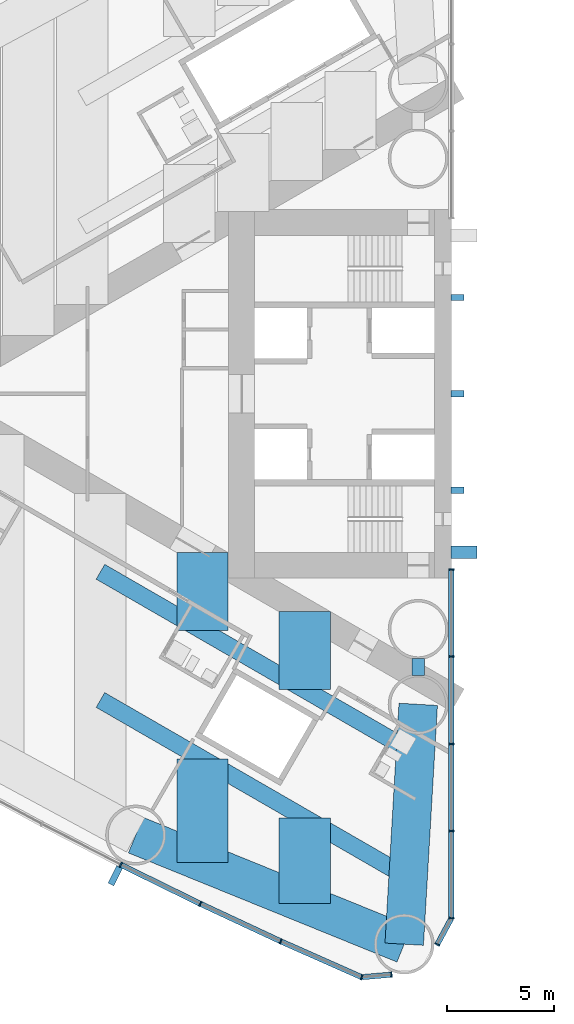
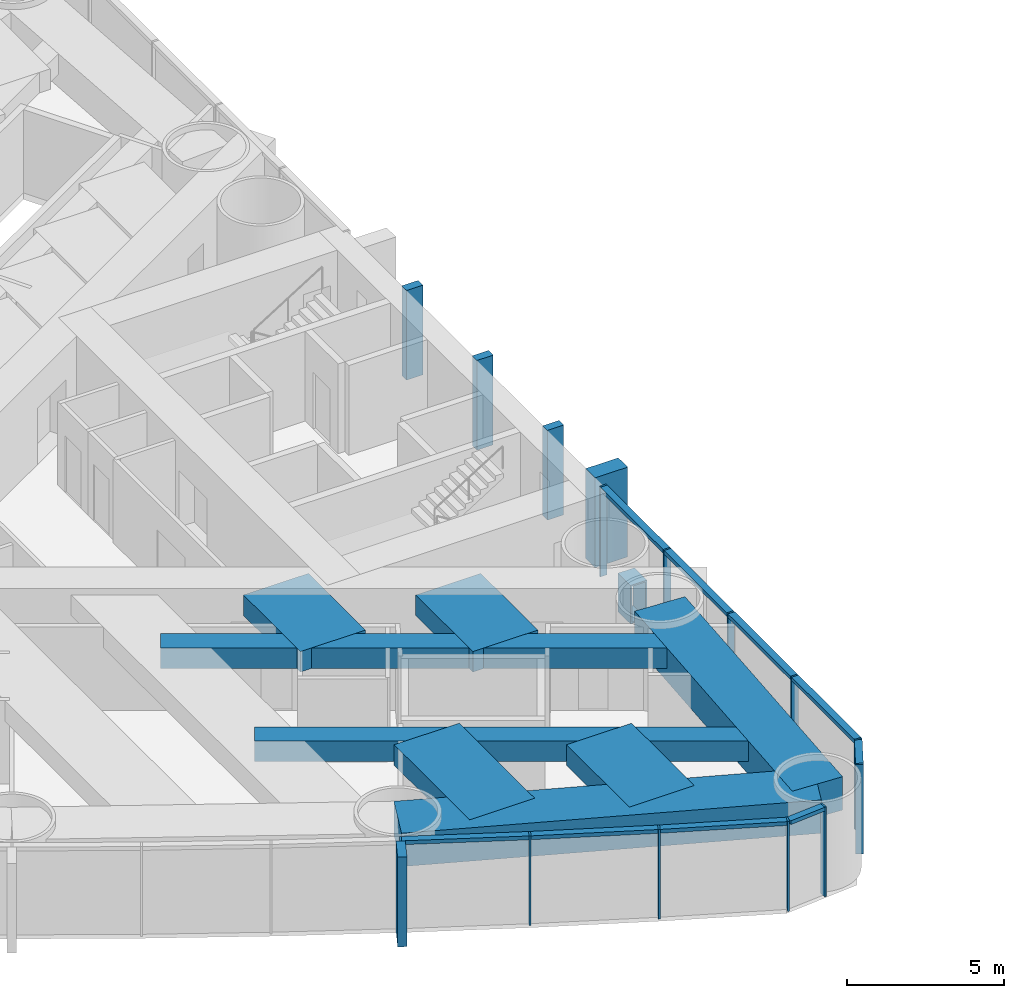
# One storey, part 3 of 19: 25 members, 9 beams, 2 elements without a shape of their own.
"""IFC4 building model written with IfcOpenShell, lengths in metres."""

from ifc_helpers import new_model, si_unit, direction, frame, origin, origin_2d, place, context, subcontext, project, spatial, rectangle, hollow_rectangle, extrude, material, material_profile, profile_set, type_object, element, aggregate, save


model = new_model("IFC4")

# Units and contexts
model_context = context("Model", 3, precision=1e-05, world=origin(), true_north=direction((0.0, 1.0)))
body_context = subcontext(model_context, "Body", "Model", "MODEL_VIEW")
ifc_project = project(units=[si_unit("LENGTHUNIT", "METRE"), si_unit("AREAUNIT", "SQUARE_METRE"), si_unit("VOLUMEUNIT", "CUBIC_METRE"), si_unit("PLANEANGLEUNIT", "RADIAN"), si_unit("MASSUNIT", "GRAM", prefix="KILO")], contexts=[model_context])

# Site, building, storey
site_placement = place(None, origin())
site = spatial("IfcSite", under=ifc_project, at=site_placement, CompositionType="ELEMENT")
building_placement = place(site_placement, origin())
building = spatial("IfcBuilding", under=site, at=building_placement, Name="Lancet Gate Hotel", CompositionType="ELEMENT")
storey_placement = place(building_placement, frame((0.0, 0.0, 70.5)))
storey = spatial("IfcBuildingStorey", under=building, at=storey_placement, Name="L18", CompositionType="ELEMENT", Elevation=70.5)

# Curtain wall, members
ifc_material_1 = material(Name="Aluminium curtain wall", Category="aluminium")
curtain_wall_type = type_object("IfcCurtainWallType", Name="Tower unitised curtain wall", PredefinedType="USERDEFINED", material=ifc_material_1)
curtain_wall_1_placement = place(storey_placement, origin())
curtain_wall_1 = element("IfcCurtainWall", 1, at=curtain_wall_1_placement, inside=storey, type_object=curtain_wall_type, Name="T1 L18 curtain wall 3", ObjectType="UNITISED CURTAIN WALL", PredefinedType="USERDEFINED")
ifc_material_2 = material(Name="Aluminium mullion", Category="aluminium")
ifc_material_profile_1 = material_profile(ifc_material_2, rectangle(XDim=0.06494140625, YDim=0.25, at=origin_2d()), Name="MULLION 65x250")
ifc_profile_set_1 = profile_set([ifc_material_profile_1], Name="Aluminium mullion")
member_type_1 = type_object("IfcMemberType", Name="Aluminium mullion 65x250", PredefinedType="MULLION", material=ifc_profile_set_1)
member_1_placement = place(storey_placement, frame((-42.94189453125, -21.991943359375, 0.0), z_axis=(0.0, 0.0, 1.0), x_axis=(0.893291549794, -0.449477704748, 0.0)))
member_1 = element("IfcMember", 2, at=member_1_placement, type_object=member_type_1, Name="T1 L18 curtain wall 3 mullion 11", PredefinedType="MULLION", context=body_context, shape_type="SweptSolid", body=[
    extrude(rectangle(XDim=0.06494140625, YDim=0.25, at=origin_2d()), origin(), (0.0, 0.0, 1.0), 3.5),
])
member_2_placement = place(storey_placement, frame((-39.225341796875, -23.816650390625, 0.0), z_axis=(0.0, 0.0, 1.0), x_axis=(0.901928838337, -0.431884672772, 0.0)))
member_2 = element("IfcMember", 3, at=member_2_placement, type_object=member_type_1, Name="T1 L18 curtain wall 3 mullion 12", PredefinedType="MULLION", context=body_context, shape_type="SweptSolid", body=[
    extrude(rectangle(XDim=0.06494140625, YDim=0.25, at=origin_2d()), origin(), (0.0, 0.0, 1.0), 3.5),
])
member_3_placement = place(storey_placement, frame((-35.473876953125, -25.568115234375, 0.0), z_axis=(0.0, 0.0, 1.0), x_axis=(0.910219680212, -0.414125746308, 0.0)))
member_3 = element("IfcMember", 4, at=member_3_placement, type_object=member_type_1, Name="T1 L18 curtain wall 3 mullion 13", PredefinedType="MULLION", context=body_context, shape_type="SweptSolid", body=[
    extrude(rectangle(XDim=0.06494140625, YDim=0.25, at=origin_2d()), origin(), (0.0, 0.0, 1.0), 3.5),
])
member_4_placement = place(storey_placement, frame((-31.688720703125, -27.24560546875, 0.0), z_axis=(0.0, 0.0, 1.0), x_axis=(0.957524354695, -0.288352406209, 0.0)))
member_4 = element("IfcMember", 5, at=member_4_placement, type_object=member_type_1, Name="T1 L18 curtain wall 3 mullion 14", PredefinedType="MULLION", context=body_context, shape_type="SweptSolid", body=[
    extrude(rectangle(XDim=0.06494140625, YDim=0.25, at=origin_2d()), origin(), (0.0, 0.0, 1.0), 3.5),
])
member_5_placement = place(storey_placement, frame((-30.3046875, -27.124755859375, 0.0), z_axis=(0.0, 0.0, 1.0), x_axis=(0.99620380374, 0.087051602022, 0.0)))
member_5 = element("IfcMember", 6, at=member_5_placement, type_object=member_type_1, Name="T1 L18 curtain wall 3 mullion 15", PredefinedType="MULLION", context=body_context, shape_type="SweptSolid", body=[
    extrude(rectangle(XDim=0.06494140625, YDim=0.25, at=origin_2d()), origin(), (0.0, 0.0, 1.0), 3.5),
])

curtain_wall_2_placement = place(storey_placement, origin())
curtain_wall_2 = element("IfcCurtainWall", 7, at=curtain_wall_2_placement, inside=storey, type_object=curtain_wall_type, Name="T1 L18 curtain wall 4", ObjectType="UNITISED CURTAIN WALL", PredefinedType="USERDEFINED")
member_6_placement = place(storey_placement, frame((-28.158935546875, -25.712890625, 0.0), z_axis=(0.0, 0.0, 1.0), x_axis=(0.474631040972, 0.880184852714, 0.0)))
member_6 = element("IfcMember", 8, at=member_6_placement, type_object=member_type_1, Name="T1 L18 curtain wall 4 mullion 1", PredefinedType="MULLION", context=body_context, shape_type="SweptSolid", body=[
    extrude(rectangle(XDim=0.06494140625, YDim=0.25, at=origin_2d()), origin(), (0.0, 0.0, 1.0), 3.5),
])
member_7_placement = place(storey_placement, frame((-27.5, -24.4912109375, 0.0), z_axis=(0.0, 0.0, 1.0), x_axis=(0.123482502544, 0.992346749662, 0.0)))
member_7 = element("IfcMember", 9, at=member_7_placement, type_object=member_type_1, Name="T1 L18 curtain wall 4 mullion 2", PredefinedType="MULLION", context=body_context, shape_type="SweptSolid", body=[
    extrude(rectangle(XDim=0.06494140625, YDim=0.25, at=origin_2d()), origin(), (0.0, 0.0, 1.0), 3.5),
])
member_8_placement = place(storey_placement, frame((-27.5, -20.41845703125, 0.0), z_axis=(0.0, 0.0, 1.0), x_axis=(0.0, 1.0, 0.0)))
member_8 = element("IfcMember", 10, at=member_8_placement, type_object=member_type_1, Name="T1 L18 curtain wall 4 mullion 3", PredefinedType="MULLION", context=body_context, shape_type="SweptSolid", body=[
    extrude(rectangle(XDim=0.06494140625, YDim=0.25, at=origin_2d()), origin(), (0.0, 0.0, 1.0), 3.5),
])
member_9_placement = place(storey_placement, frame((-27.5, -16.345703125, 0.0), z_axis=(0.0, 0.0, 1.0), x_axis=(0.0, 1.0, 0.0)))
member_9 = element("IfcMember", 11, at=member_9_placement, type_object=member_type_1, Name="T1 L18 curtain wall 4 mullion 4", PredefinedType="MULLION", context=body_context, shape_type="SweptSolid", body=[
    extrude(rectangle(XDim=0.06494140625, YDim=0.25, at=origin_2d()), origin(), (0.0, 0.0, 1.0), 3.5),
])
member_10_placement = place(storey_placement, frame((-27.5, -12.272705078125, 0.0), z_axis=(0.0, 0.0, 1.0), x_axis=(0.0, 1.0, 0.0)))
member_10 = element("IfcMember", 12, at=member_10_placement, type_object=member_type_1, Name="T1 L18 curtain wall 4 mullion 5", PredefinedType="MULLION", context=body_context, shape_type="SweptSolid", body=[
    extrude(rectangle(XDim=0.06494140625, YDim=0.25, at=origin_2d()), origin(), (0.0, 0.0, 1.0), 3.5),
])
member_11_placement = place(storey_placement, frame((-27.5, -8.199951171875, 0.0), z_axis=(0.0, 0.0, 1.0), x_axis=(0.0, 1.0, 0.0)))
member_11 = element("IfcMember", 13, at=member_11_placement, type_object=member_type_1, Name="T1 L18 curtain wall 4 mullion 6", PredefinedType="MULLION", context=body_context, shape_type="SweptSolid", body=[
    extrude(rectangle(XDim=0.06494140625, YDim=0.25, at=origin_2d()), origin(), (0.0, 0.0, 1.0), 3.5),
])

# Member
ifc_material_3 = material(Name="Aluminium transom", Category="aluminium")
ifc_material_profile_2 = material_profile(ifc_material_3, rectangle(XDim=0.25, YDim=0.14990234375, at=origin_2d()), Name="TRANSOM 250x150")
ifc_profile_set_2 = profile_set([ifc_material_profile_2], Name="Aluminium transom")
member_type_2 = type_object("IfcMemberType", Name="Aluminium transom 250x150", PredefinedType="USERDEFINED", material=ifc_profile_set_2)
member_12_placement = place(storey_placement, frame((-42.912841796875, -22.00634765625, 3.425048828125), z_axis=(0.897662439958, -0.440683723194, 0.0), x_axis=(0.440683723194, 0.897662439958, 0.0)))
member_12 = element("IfcMember", 14, at=member_12_placement, type_object=member_type_2, Name="T1 L18 curtain wall 3 transom 11", ObjectType="TRANSOM", PredefinedType="USERDEFINED", context=body_context, shape_type="SweptSolid", body=[
    extrude(rectangle(XDim=0.25, YDim=0.14990234375, at=origin_2d()), origin(), (0.0, 0.0, 1.0), 4.0751953125),
])

member_13_placement = place(storey_placement, frame((-39.196044921875, -23.830322265625, 3.425048828125), z_axis=(0.906109667261, -0.423042871228, 0.0), x_axis=(0.423042871228, 0.906109667261, 0.0)))
member_13 = element("IfcMember", 15, at=member_13_placement, type_object=member_type_2, Name="T1 L18 curtain wall 3 transom 12", ObjectType="TRANSOM", PredefinedType="USERDEFINED", context=body_context, shape_type="SweptSolid", body=[
    extrude(rectangle(XDim=0.25, YDim=0.14990234375, at=origin_2d()), origin(), (0.0, 0.0, 1.0), 4.075439453125),
])

member_14_placement = place(storey_placement, frame((-35.444091796875, -25.581298828125, 3.425048828125), z_axis=(0.914248281954, -0.405154389022, 0.0), x_axis=(0.405154389022, 0.914248281954, 0.0)))
member_14 = element("IfcMember", 16, at=member_14_placement, type_object=member_type_2, Name="T1 L18 curtain wall 3 transom 13", ObjectType="TRANSOM", PredefinedType="USERDEFINED", context=body_context, shape_type="SweptSolid", body=[
    extrude(rectangle(XDim=0.25, YDim=0.14990234375, at=origin_2d()), origin(), (0.0, 0.0, 1.0), 4.0751953125),
])

member_15_placement = place(storey_placement, frame((-31.65625, -27.242919921875, 3.425048828125), z_axis=(0.99620591587, 0.087027427779, 0.0), x_axis=(-0.087027427779, 0.99620591587, 0.0)))
member_15 = element("IfcMember", 17, at=member_15_placement, type_object=member_type_2, Name="T1 L18 curtain wall 3 transom 14", ObjectType="TRANSOM", PredefinedType="USERDEFINED", context=body_context, shape_type="SweptSolid", body=[
    extrude(rectangle(XDim=0.25, YDim=0.14990234375, at=origin_2d()), origin(), (0.0, 0.0, 1.0), 1.32421875),
])

member_16_placement = place(storey_placement, frame((-28.143310546875, -25.684326171875, 3.425048828125), z_axis=(0.474605926905, 0.880198394765, 0.0), x_axis=(-0.880198394765, 0.474605926905, 0.0)))
member_16 = element("IfcMember", 18, at=member_16_placement, type_object=member_type_2, Name="T1 L18 curtain wall 4 transom 1", ObjectType="TRANSOM", PredefinedType="USERDEFINED", context=body_context, shape_type="SweptSolid", body=[
    extrude(rectangle(XDim=0.25, YDim=0.14990234375, at=origin_2d()), origin(), (0.0, 0.0, 1.0), 1.322998046875),
])

member_17_placement = place(storey_placement, frame((-27.5, -24.458740234375, 3.425048828125), z_axis=(0.0, 1.0, 0.0), x_axis=(-1.0, 0.0, 0.0)))
member_17 = element("IfcMember", 19, at=member_17_placement, type_object=member_type_2, Name="T1 L18 curtain wall 4 transom 2", ObjectType="TRANSOM", PredefinedType="USERDEFINED", context=body_context, shape_type="SweptSolid", body=[
    extrude(rectangle(XDim=0.25, YDim=0.14990234375, at=origin_2d()), origin(), (0.0, 0.0, 1.0), 4.0078125),
])

member_18_placement = place(storey_placement, frame((-27.5, -20.385986328125, 3.425048828125), z_axis=(0.0, 1.0, 0.0), x_axis=(-1.0, 0.0, 0.0)))
member_18 = element("IfcMember", 20, at=member_18_placement, type_object=member_type_2, Name="T1 L18 curtain wall 4 transom 3", ObjectType="TRANSOM", PredefinedType="USERDEFINED", context=body_context, shape_type="SweptSolid", body=[
    extrude(rectangle(XDim=0.25, YDim=0.14990234375, at=origin_2d()), origin(), (0.0, 0.0, 1.0), 4.0078125),
])

member_19_placement = place(storey_placement, frame((-27.5, -16.31298828125, 3.425048828125), z_axis=(0.0, 1.0, 0.0), x_axis=(-1.0, 0.0, 0.0)))
member_19 = element("IfcMember", 21, at=member_19_placement, type_object=member_type_2, Name="T1 L18 curtain wall 4 transom 4", ObjectType="TRANSOM", PredefinedType="USERDEFINED", context=body_context, shape_type="SweptSolid", body=[
    extrude(rectangle(XDim=0.25, YDim=0.14990234375, at=origin_2d()), origin(), (0.0, 0.0, 1.0), 4.0078125),
])

member_20_placement = place(storey_placement, frame((-27.5, -12.240234375, 3.425048828125), z_axis=(0.0, 1.0, 0.0), x_axis=(-1.0, 0.0, 0.0)))
member_20 = element("IfcMember", 22, at=member_20_placement, type_object=member_type_2, Name="T1 L18 curtain wall 4 transom 5", ObjectType="TRANSOM", PredefinedType="USERDEFINED", context=body_context, shape_type="SweptSolid", body=[
    extrude(rectangle(XDim=0.25, YDim=0.14990234375, at=origin_2d()), origin(), (0.0, 0.0, 1.0), 4.0078125),
])

aggregate(curtain_wall_2, [member_6, member_7, member_8, member_9, member_10, member_11, member_16, member_17, member_18, member_19, member_20])

# Beams
ifc_material_4 = material(Name="Concrete C50/60", Category="concrete")
ifc_material_profile_3 = material_profile(ifc_material_4, rectangle(XDim=1.800048828125, YDim=1.300048828125, at=origin_2d()), Name="RC 1800x1300")
ifc_profile_set_3 = profile_set([ifc_material_profile_3], Name="Concrete C50/60")
beam_type_1 = type_object("IfcBeamType", Name="Edge beam RC 1800x1300", PredefinedType="SPANDREL", material=ifc_profile_set_3)
beam_1_placement = place(storey_placement, frame((-42.2451171875, -20.607421875, 2.60009765625), z_axis=(0.926463236197, -0.376385270667, 0.0), x_axis=(0.376385270667, 0.926463236197, 0.0)))
element("IfcBeam", 23, at=beam_1_placement, inside=storey, type_object=beam_type_1, Name="T1 edge beam EB1 L18", PredefinedType="SPANDREL", context=body_context, shape_type="SweptSolid", body=[
    extrude(rectangle(XDim=1.800048828125, YDim=1.300048828125, at=origin_2d()), origin(), (0.0, 0.0, 1.0), 13.537353515625),
])
beam_2_placement = place(storey_placement, frame((-29.050048828125, -14.5, 2.60009765625), z_axis=(-0.058219521912, -0.998303805096, 0.0), x_axis=(0.998303805096, -0.058219521912, 0.0)))
element("IfcBeam", 24, at=beam_2_placement, inside=storey, type_object=beam_type_1, Name="T1 edge beam EB1 L18", PredefinedType="SPANDREL", context=body_context, shape_type="SweptSolid", body=[
    extrude(rectangle(XDim=1.800048828125, YDim=1.300048828125, at=origin_2d()), origin(), (0.0, 0.0, 1.0), 11.2216796875),
])

# Member
ifc_material_5 = material(Name="Concrete C60/75", Category="concrete")
ifc_material_profile_4 = material_profile(ifc_material_5, rectangle(XDim=0.60009765625, YDim=1.199951171875, at=origin_2d()), Name="FIN 600x1200")
ifc_profile_set_4 = profile_set([ifc_material_profile_4], Name="Concrete C60/75")
member_type_3 = type_object("IfcMemberType", Name="Exposed concrete buttress pilaster 600x1200", PredefinedType="USERDEFINED", material=ifc_profile_set_4)
member_21_placement = place(storey_placement, frame((-26.909912109375, -7.39990234375, 0.0), z_axis=(0.0, 0.0, 1.0), x_axis=(0.0, 1.0, 0.0)))
element("IfcMember", 25, at=member_21_placement, inside=storey, type_object=member_type_3, Name="T1 buttress pilaster N L18", ObjectType="FIN", PredefinedType="USERDEFINED", context=body_context, shape_type="SweptSolid", body=[
    extrude(rectangle(XDim=0.60009765625, YDim=1.199951171875, at=origin_2d()), origin(), (0.0, 0.0, 1.0), 3.5),
])

ifc_material_6 = material(Name="Precast concrete C50/60", Category="concrete")
ifc_material_profile_5 = material_profile(ifc_material_6, rectangle(XDim=0.300048828125, YDim=0.89990234375, at=origin_2d()), Name="FIN 300x900")
ifc_profile_set_5 = profile_set([ifc_material_profile_5], Name="Precast concrete C50/60")
member_type_4 = type_object("IfcMemberType", Name="Exposed concrete fin 300x900", PredefinedType="USERDEFINED", material=ifc_profile_set_5)
member_22_placement = place(storey_placement, frame((-43.200439453125, -22.505615234375, 0.0), z_axis=(0.0, 0.0, 1.0), x_axis=(0.893291549794, -0.449477704748, 0.0)))
member_22 = element("IfcMember", 26, at=member_22_placement, type_object=member_type_4, Name="T1 L18 curtain wall 3 fin 11", ObjectType="FIN", PredefinedType="USERDEFINED", context=body_context, shape_type="SweptSolid", body=[
    extrude(rectangle(XDim=0.300048828125, YDim=0.89990234375, at=origin_2d()), origin(), (0.0, 0.0, 1.0), 3.5),
])

aggregate(curtain_wall_1, [member_1, member_22, member_2, member_3, member_4, member_5, member_12, member_13, member_14, member_15])

# Members
ifc_material_7 = material(Name="Concrete C60/75", Category="concrete")
ifc_material_profile_6 = material_profile(ifc_material_7, rectangle(XDim=0.300048828125, YDim=0.60009765625, at=origin_2d()), Name="FIN 300x600")
ifc_profile_set_6 = profile_set([ifc_material_profile_6], Name="Concrete C60/75")
member_type_5 = type_object("IfcMemberType", Name="Exposed concrete rib 300x600", PredefinedType="USERDEFINED", material=ifc_profile_set_6)
for number, where, z_axis, x_axis, name in (
    (27, (-27.2099609375, 4.5, 0.0), (0.0, 0.0, 1.0), (0.0, 1.0, 0.0), "T1 core rib 1 L18"),
    (28, (-27.2099609375, 0.0, 0.0), (0.0, 0.0, 1.0), (0.0, 1.0, 0.0), "T1 core rib 2 L18"),
    (29, (-27.2099609375, -4.5, 0.0), (0.0, 0.0, 1.0), (0.0, 1.0, 0.0), "T1 core rib 3 L18"),
):
    element("IfcMember", number, at=place(storey_placement, frame(where, z_axis=z_axis, x_axis=x_axis)), inside=storey, type_object=member_type_5, Name=name, ObjectType="FIN", PredefinedType="USERDEFINED", context=body_context, shape_type="SweptSolid", body=[
        extrude(rectangle(XDim=0.300048828125, YDim=0.60009765625, at=origin_2d()), origin(), (0.0, 0.0, 1.0), 3.5),
    ])

# Beams
ifc_material_8 = material(Name="Concrete C50/60", Category="concrete")
ifc_material_profile_7 = material_profile(ifc_material_8, rectangle(XDim=2.39990234375, YDim=0.800048828125, at=origin_2d()), Name="RC 2400x800")
ifc_profile_set_7 = profile_set([ifc_material_profile_7], Name="Concrete C50/60")
beam_type_2 = type_object("IfcBeamType", Name="Floor beam RC 2400x800", PredefinedType="BEAM", material=ifc_profile_set_7)
beam_3_placement = place(storey_placement, frame((-34.353515625, -10.169921875, 2.85009765625), z_axis=(0.0, -1.0, 0.0), x_axis=(1.0, 0.0, 0.0)))
element("IfcBeam", 30, at=beam_3_placement, inside=storey, type_object=beam_type_2, Name="T1 floor beam F03NA L18", PredefinedType="BEAM", context=body_context, shape_type="SweptSolid", body=[
    extrude(rectangle(XDim=2.39990234375, YDim=0.800048828125, at=origin_2d()), origin(), (0.0, 0.0, 1.0), 3.645751953125),
])
beam_4_placement = place(storey_placement, frame((-34.353515625, -19.802978515625, 2.85009765625), z_axis=(0.0, -1.0, 0.0), x_axis=(1.0, 0.0, 0.0)))
element("IfcBeam", 31, at=beam_4_placement, inside=storey, type_object=beam_type_2, Name="T1 floor beam F03NB L18", PredefinedType="BEAM", context=body_context, shape_type="SweptSolid", body=[
    extrude(rectangle(XDim=2.39990234375, YDim=0.800048828125, at=origin_2d()), origin(), (0.0, 0.0, 1.0), 4.010498046875),
])
beam_5_placement = place(storey_placement, frame((-39.122314453125, -7.41650390625, 2.85009765625), z_axis=(0.0, -1.0, 0.0), x_axis=(1.0, 0.0, 0.0)))
element("IfcBeam", 32, at=beam_5_placement, inside=storey, type_object=beam_type_2, Name="T1 floor beam F06NA L18", PredefinedType="BEAM", context=body_context, shape_type="SweptSolid", body=[
    extrude(rectangle(XDim=2.39990234375, YDim=0.800048828125, at=origin_2d()), origin(), (0.0, 0.0, 1.0), 3.64599609375),
])
beam_6_placement = place(storey_placement, frame((-39.122314453125, -17.0498046875, 2.85009765625), z_axis=(0.0, -1.0, 0.0), x_axis=(1.0, 0.0, 0.0)))
element("IfcBeam", 33, at=beam_6_placement, inside=storey, type_object=beam_type_2, Name="T1 floor beam F06NB L18", PredefinedType="BEAM", context=body_context, shape_type="SweptSolid", body=[
    extrude(rectangle(XDim=2.39990234375, YDim=0.800048828125, at=origin_2d()), origin(), (0.0, 0.0, 1.0), 4.826416015625),
])
ifc_material_9 = material(Name="Steel S460QL", Category="steel")
ifc_material_profile_8 = material_profile(ifc_material_9, hollow_rectangle(XDim=0.60009765625, YDim=1.5, WallThickness=0.050048828125, at=origin_2d()), Name="BOX 1500x600x50")
ifc_profile_set_8 = profile_set([ifc_material_profile_8], Name="Steel S460QL")
beam_type_3 = type_object("IfcBeamType", Name="Inner-face link beam BOX 1500x600x50", PredefinedType="BEAM", material=ifc_profile_set_8)
beam_7_placement = place(storey_placement, frame((-29.050048828125, -12.35009765625, 2.5), z_axis=(0.0, -1.0, 0.0), x_axis=(1.0, 0.0, 0.0)))
element("IfcBeam", 34, at=beam_7_placement, inside=storey, type_object=beam_type_3, Name="T1 inner-face link beam LK1 L18", PredefinedType="BEAM", context=body_context, shape_type="SweptSolid", body=[
    extrude(hollow_rectangle(XDim=0.60009765625, YDim=1.5, WallThickness=0.050048828125, at=origin_2d()), origin(), (0.0, 0.0, 1.0), 0.7998046875),
])
ifc_material_10 = material(Name="Steel S460QL", Category="steel")
ifc_material_profile_9 = material_profile(ifc_material_10, hollow_rectangle(XDim=0.800048828125, YDim=0.800048828125, WallThickness=0.080078125, at=origin_2d()), Name="BOX 800x800x80")
ifc_profile_set_9 = profile_set([ifc_material_profile_9], Name="Steel S460QL")
beam_type_4 = type_object("IfcBeamType", Name="Trimmer beam BOX 800x800x80", PredefinedType="BEAM", material=ifc_profile_set_9)
for number, where, z_axis, x_axis, name in (
    (35, (-29.58447265625, -22.55615234375, 2.85009765625), (-0.866040141834, 0.49997447208, 0.0), (-0.49997447208, -0.866040141834, 0.0), "T1 trimmer beam TR03N L18"),
    (36, (-29.58447265625, -16.56884765625, 2.85009765625), (-0.866040141834, 0.49997447208, 0.0), (-0.49997447208, -0.866040141834, 0.0), "T1 trimmer beam TR04N L18"),
):
    element("IfcBeam", number, at=place(storey_placement, frame(where, z_axis=z_axis, x_axis=x_axis)), inside=storey, type_object=beam_type_4, Name=name, PredefinedType="BEAM", context=body_context, shape_type="SweptSolid", body=[
        extrude(hollow_rectangle(XDim=0.800048828125, YDim=0.800048828125, WallThickness=0.080078125, at=origin_2d()), origin(), (0.0, 0.0, 1.0), 16.519775390625),
    ])

save(model, "model.ifc")
